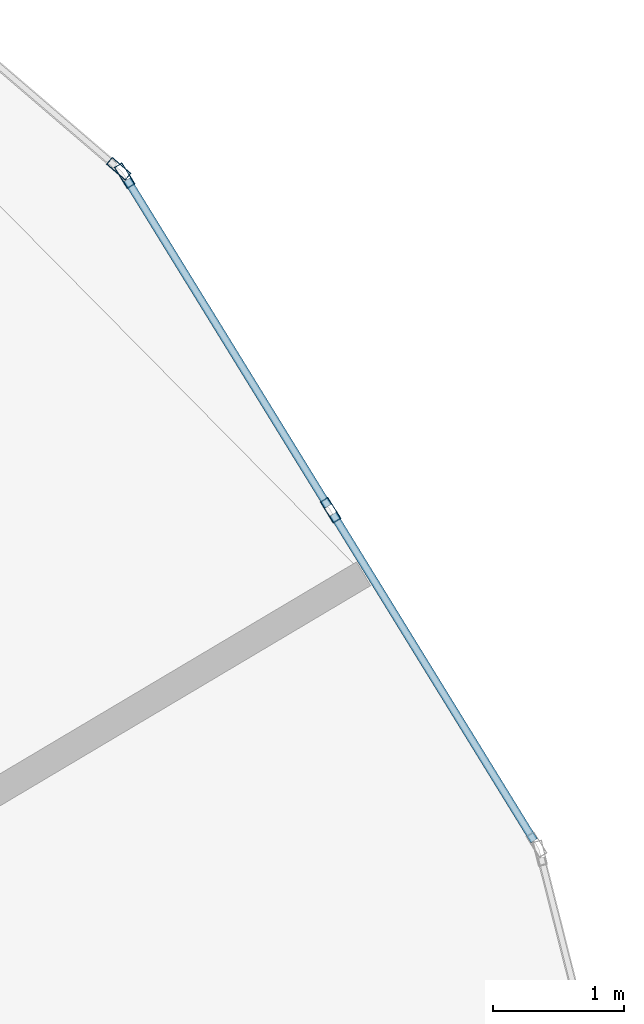
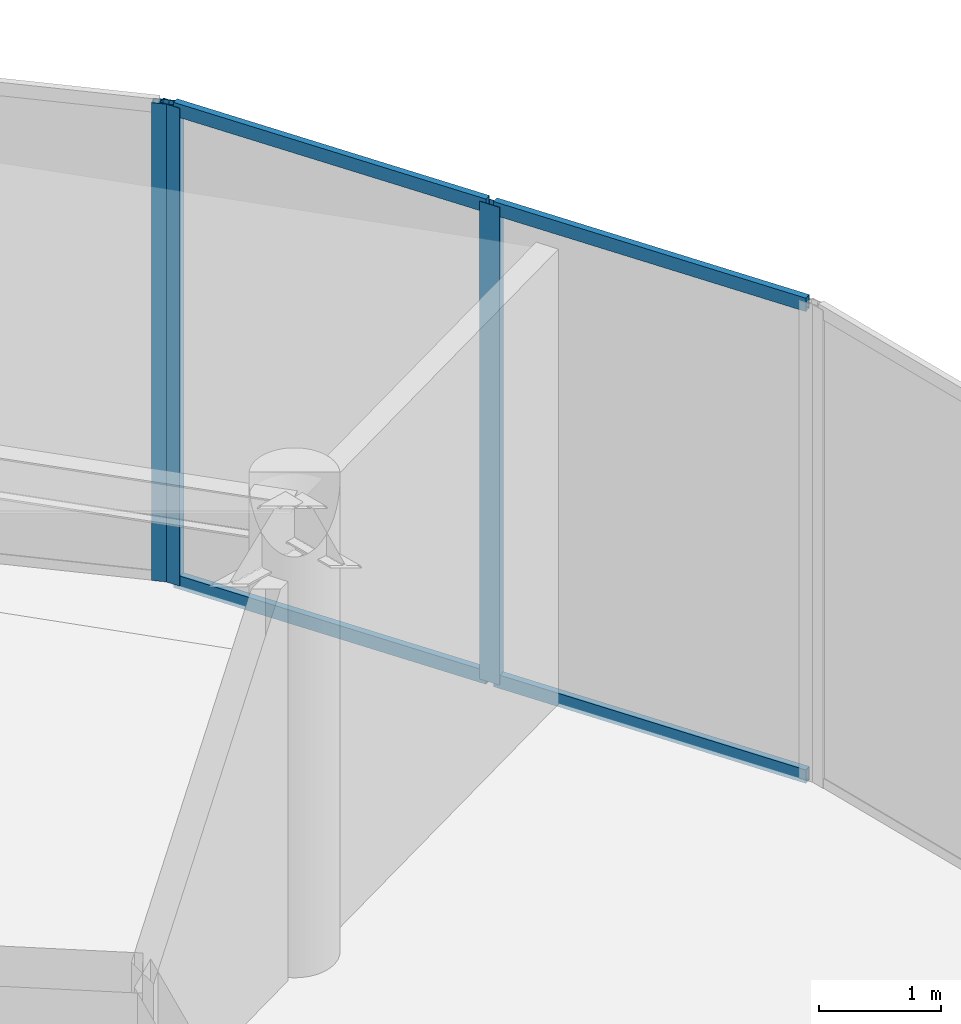
# One storey, part 15 of 21: 7 members, 2 elements without a shape of their own.
"""IFC4 building model written with IfcOpenShell, lengths in metres."""

import ifcopenshell
import ifcopenshell.guid

model = None  # the IFC model being written
_history = None  # IfcOwnerHistory: only IFC2X3 demands one
_inside = {}  # id of a spatial element -> (the spatial element, [elements in it])
_under = {}  # id of a project, library or spatial element -> (it, [spatial elements below it])
_declared = {}  # id of a project -> (the project, [libraries it declares])
_typed = {}  # id of a type object -> (the type object, [elements of that type])
_made_of = {}  # id of a material, layer set ... -> (it, [elements and type objects made of it])


def new_model(schema):
    """Start an empty IFC model of exactly this schema.

    Asked for "IFC4X3", IfcOpenShell would pick the latest addendum, in which some entities
    have other attributes; the version numbers below select the first issue.
    IFC2X3 requires an IfcOwnerHistory on every rooted entity: one is made here for all.
    """
    global model, _history
    if schema == "IFC4X3":
        model = ifcopenshell.file(schema_version=(4, 3, 0, 0))
    else:
        model = ifcopenshell.file(schema=schema)
    _inside.clear()
    _under.clear()
    _declared.clear()
    _typed.clear()
    _made_of.clear()
    _history = None
    if model.schema == "IFC2X3":
        org = make("IfcOrganization", Name="unknown")
        user = make(
            "IfcPersonAndOrganization",
            ThePerson=make("IfcPerson", FamilyName="unknown"),
            TheOrganization=org,
        )
        app = make(
            "IfcApplication",
            ApplicationDeveloper=org,
            Version="unknown",
            ApplicationFullName="unknown",
            ApplicationIdentifier="unknown",
        )
        _history = make(
            "IfcOwnerHistory",
            OwningUser=user,
            OwningApplication=app,
            ChangeAction="ADDED",
            CreationDate=0,
        )
    return model


def make(cls, **values):
    """One entity of the class cls with the attributes given. An attribute that is None is left unset."""
    return model.create_entity(
        cls, **{name: value for name, value in values.items() if value is not None}
    )


def rooted(cls, **values):
    """An entity with a GlobalId (a new one), such as an element, a storey or a relation."""
    return make(cls, GlobalId=ifcopenshell.guid.new(), OwnerHistory=_history, **values)


def si_unit(unit_type, name, prefix=None):
    """IfcSIUnit, for example si_unit("LENGTHUNIT", "METRE", prefix="MILLI")."""
    return make("IfcSIUnit", UnitType=unit_type, Prefix=prefix, Name=name)


def assignment(units):
    """IfcUnitAssignment: the units of a project."""
    return None if units is None else make("IfcUnitAssignment", Units=units)


def point(xyz):
    """IfcCartesianPoint."""
    return None if xyz is None else make("IfcCartesianPoint", Coordinates=xyz)


def direction(xyz):
    """IfcDirection."""
    return None if xyz is None else make("IfcDirection", DirectionRatios=xyz)


def frame(location, z_axis=None, x_axis=None):
    """IfcAxis2Placement3D, a coordinate frame: its origin and axes. An axis left out is left unset."""
    return make(
        "IfcAxis2Placement3D",
        Location=point(location),
        Axis=direction(z_axis),
        RefDirection=direction(x_axis),
    )


def frame_2d(location, x_axis=None):
    """IfcAxis2Placement2D, a coordinate frame in the plane: its origin and x axis."""
    return make(
        "IfcAxis2Placement2D", Location=point(location), RefDirection=direction(x_axis)
    )


def origin():
    """The frame at (0, 0, 0) with its axes left unset."""
    return frame((0.0, 0.0, 0.0))


def origin_2d():
    """The frame at (0, 0) in the plane with its x axis left unset."""
    return frame_2d((0.0, 0.0))


def place(relative_to, where):
    """IfcLocalPlacement: puts the frame where relative to a parent placement (None: the world)."""
    return make(
        "IfcLocalPlacement", PlacementRelTo=relative_to, RelativePlacement=where
    )


def context(
    kind, dimensions, precision=None, world=None, true_north=None, identifier=None
):
    """IfcGeometricRepresentationContext, for example the 3D "Model" context."""
    return make(
        "IfcGeometricRepresentationContext",
        ContextIdentifier=identifier,
        ContextType=kind,
        CoordinateSpaceDimension=dimensions,
        Precision=precision,
        WorldCoordinateSystem=world,
        TrueNorth=true_north,
    )


def subcontext(parent, identifier, kind, view, scale=None):
    """IfcGeometricRepresentationSubContext, for example "Body" below "Model"."""
    return make(
        "IfcGeometricRepresentationSubContext",
        ContextIdentifier=identifier,
        ContextType=kind,
        ParentContext=parent,
        TargetScale=scale,
        TargetView=view,
    )


def project(units=None, contexts=None):
    """IfcProject with its units and contexts."""
    return rooted(
        "IfcProject",
        Name="project",
        RepresentationContexts=contexts,
        UnitsInContext=assignment(units),
    )


def spatial(cls, under=None, at=None, **own):
    """A site, building, storey or space (cls), placed at a placement, below another one or the project."""
    s = rooted(cls, ObjectPlacement=at, **own)
    if under is not None:
        _under.setdefault(under.id(), (under, []))[1].append(s)
    return s


def profile(cls, at=None, kind="AREA", **sizes):
    """A parametric profile (cls). Its sizes go by their IFC names, for example OverallWidth=200.0."""
    return make(cls, ProfileType=kind, Position=at, **sizes)


def hollow_rectangle(**sizes):
    """IfcRectangleHollowProfileDef."""
    return profile("IfcRectangleHollowProfileDef", **sizes)


def extrude(swept, where, along, depth):
    """IfcExtrudedAreaSolid: the profile swept, set in the frame where, extruded along a direction by depth."""
    return make(
        "IfcExtrudedAreaSolid",
        SweptArea=swept,
        Position=where,
        ExtrudedDirection=direction(along),
        Depth=depth,
    )


def shape(context_of_items, identifier, shape_type, items):
    """IfcShapeRepresentation: the items that make up one representation, for example the "Body"."""
    return make(
        "IfcShapeRepresentation",
        ContextOfItems=context_of_items,
        RepresentationIdentifier=identifier,
        RepresentationType=shape_type,
        Items=items,
    )


def source(mapping_origin, context_of_items, identifier, shape_type, items):
    """IfcRepresentationMap: a shape defined once, which mapped items show again and again."""
    return make(
        "IfcRepresentationMap",
        MappingOrigin=mapping_origin,
        MappedRepresentation=shape(context_of_items, identifier, shape_type, items),
    )


def transform(
    local_origin,
    x_axis=None,
    y_axis=None,
    z_axis=None,
    scale=None,
    scale2=None,
    scale3=None,
    uniform=True,
):
    """IfcCartesianTransformationOperator3D, or its non-uniform kind. x_axis, y_axis, z_axis: its Axis1, 2, 3."""
    if uniform:
        return make(
            "IfcCartesianTransformationOperator3D",
            Axis1=direction(x_axis),
            Axis2=direction(y_axis),
            LocalOrigin=point(local_origin),
            Scale=scale,
            Axis3=direction(z_axis),
        )
    return make(
        "IfcCartesianTransformationOperator3DnonUniform",
        Axis1=direction(x_axis),
        Axis2=direction(y_axis),
        LocalOrigin=point(local_origin),
        Scale=scale,
        Axis3=direction(z_axis),
        Scale2=scale2,
        Scale3=scale3,
    )


def mapped(mapping_source, mapping_target):
    """IfcMappedItem: shows the shape of a source again, moved by a transform."""
    return make(
        "IfcMappedItem", MappingSource=mapping_source, MappingTarget=mapping_target
    )


def material(Name=None, Category=None):
    """IfcMaterial."""
    return make("IfcMaterial", Name=Name, Category=Category)


def layer(
    of_material, thickness, ventilated=None, Name=None, Category=None, Priority=None
):
    """IfcMaterialLayer: one layer of a wall or slab, of a material (None: an air gap)."""
    return make(
        "IfcMaterialLayer",
        Material=of_material,
        LayerThickness=thickness,
        IsVentilated=ventilated,
        Name=Name,
        Category=Category,
        Priority=Priority,
    )


def layer_set(layers, Name=None):
    """IfcMaterialLayerSet."""
    return make("IfcMaterialLayerSet", MaterialLayers=layers, LayerSetName=Name)


def material_profile(
    of_material, cross_section, Name=None, Category=None, Priority=None
):
    """IfcMaterialProfile: a cross section and its material."""
    return make(
        "IfcMaterialProfile",
        Name=Name,
        Material=of_material,
        Profile=cross_section,
        Priority=Priority,
        Category=Category,
    )


def profile_set(profiles, Name=None, composite=None):
    """IfcMaterialProfileSet."""
    return make(
        "IfcMaterialProfileSet",
        Name=Name,
        MaterialProfiles=profiles,
        CompositeProfile=composite,
    )


def made_of(thing, what):
    """Note that an element or type object is made of a material, layer set ...; save() writes the relation."""
    if what is not None:
        _made_of.setdefault(what.id(), (what, []))[1].append(thing)
    return thing


def type_object(cls, material=None, **own):
    """A type object (cls), such as IfcWallType, which elements share."""
    return made_of(rooted(cls, **own), material)


def element(
    cls,
    number,
    at=None,
    inside=None,
    cuts=None,
    type_object=None,
    material=None,
    context=None,
    identifier="Body",
    shape_type=None,
    held_by="IfcProductDefinitionShape",
    body=None,
    shapes=None,
    **own,
):
    """One element of the class cls, such as IfcWall. Its Tag is "e" and its number.

    at: its placement. inside: the storey or other place that contains it. cuts: it is an
    opening in that element (IfcRelVoidsElement). A single representation is given by context,
    identifier, shape_type and body (its items); several are given by shapes. held_by: the class
    of the entity that holds the representations. save() writes the other relations.
    """
    e = rooted(cls, Tag="e%d" % number, ObjectPlacement=at, **own)
    if body is not None:
        shapes = [shape(context, identifier, shape_type, body)]
    if shapes is not None:
        e.Representation = make(held_by, Representations=shapes)
    if inside is not None:
        _inside.setdefault(inside.id(), (inside, []))[1].append(e)
    if cuts is not None:
        rooted(
            "IfcRelVoidsElement", RelatingBuildingElement=cuts, RelatedOpeningElement=e
        )
    if type_object is not None:
        _typed.setdefault(type_object.id(), (type_object, []))[1].append(e)
    return made_of(e, material)


def aggregate(whole, parts):
    """IfcRelAggregates: a whole, such as a stair, and the parts it consists of."""
    return rooted("IfcRelAggregates", RelatingObject=whole, RelatedObjects=parts)


def save(model, path):
    """Write the relations noted so far, then the file.

    IfcRelAggregates (storeys below a building ...), IfcRelContainedInSpatialStructure (elements
    in a storey), IfcRelDefinesByType, IfcRelAssociatesMaterial and IfcRelDeclares: one each for
    every whole, place, type object, material and project.
    """
    for whole, parts in _under.values():
        aggregate(whole, parts)
    for where, things in _inside.values():
        rooted(
            "IfcRelContainedInSpatialStructure",
            RelatedElements=things,
            RelatingStructure=where,
        )
    for kind, things in _typed.values():
        rooted("IfcRelDefinesByType", RelatedObjects=things, RelatingType=kind)
    for what, things in _made_of.values():
        rooted("IfcRelAssociatesMaterial", RelatedObjects=things, RelatingMaterial=what)
    for by, libraries in _declared.values():
        rooted("IfcRelDeclares", RelatingContext=by, RelatedDefinitions=libraries)
    model.write(path)


model = new_model("IFC4")

# Units and contexts
model_context = context("Model", 3, precision=1e-05, world=origin(), true_north=direction((0.0, 1.0)))
body_context = subcontext(model_context, "Body", "Model", "MODEL_VIEW")
ifc_project = project(units=[si_unit("LENGTHUNIT", "METRE"), si_unit("AREAUNIT", "SQUARE_METRE"), si_unit("VOLUMEUNIT", "CUBIC_METRE"), si_unit("PLANEANGLEUNIT", "RADIAN"), si_unit("MASSUNIT", "GRAM", prefix="KILO")], contexts=[model_context])

# Site, building, storey
site_placement = place(None, origin())
site = spatial("IfcSite", under=ifc_project, at=site_placement, CompositionType="ELEMENT")
building_placement = place(site_placement, origin())
building = spatial("IfcBuilding", under=site, at=building_placement, Name="Solvirekh Grand Hotel", CompositionType="ELEMENT")
storey_placement = place(building_placement, frame((0.0, 0.0, 262.0)))
storey = spatial("IfcBuildingStorey", under=building, at=storey_placement, Name="L68", CompositionType="ELEMENT", Elevation=262.0)

# Curtain wall, members
ifc_material = material(Name="Anodized Bronze Aluminium 6063-T6", Category="aluminium")
ifc_layer = layer(ifc_material, 0.18994140625)
ifc_layer_set = layer_set([ifc_layer], Name="Anodized Bronze Aluminium 6063-T6")
curtain_wall_type = type_object("IfcCurtainWallType", Name="CW_Sys5_SkyLobbyPanoramaCW", PredefinedType="NOTDEFINED", material=ifc_layer_set)
curtain_wall_1_placement = place(storey_placement, origin())
curtain_wall_1 = element("IfcCurtainWall", 1, at=curtain_wall_1_placement, inside=storey, type_object=curtain_wall_type, Name="L68 unitised bronze-glass curtain wall CW-L68-C07", PredefinedType="NOTDEFINED")
ifc_material_profile_1 = material_profile(ifc_material, hollow_rectangle(XDim=0.070068359375, YDim=0.18994140625, WallThickness=0.0048828125, at=origin_2d()), Name="ALU RHS 190X70X5")
ifc_profile_set_1 = profile_set([ifc_material_profile_1], Name="Anodized Bronze Aluminium 6063-T6")
member_type_1 = type_object("IfcMemberType", Name="CWMullion_Sys5", PredefinedType="MULLION", material=ifc_profile_set_1)
shared_shape_1 = source(origin(), body_context, "Body", "SweptSolid", [
    extrude(hollow_rectangle(XDim=0.070068359375, YDim=0.18994140625, WallThickness=0.0048828125, at=origin_2d()), origin(), (0.0, 0.0, 1.0), 4.800048828125),
])
member_1_placement = place(storey_placement, frame((16.73291015625, 10.29052734375, 0.0), z_axis=(0.0, 0.0, 1.0), x_axis=(-0.851533516922, -0.524300171237, 0.0)))
member_1 = element("IfcMember", 2, at=member_1_placement, type_object=member_type_1, Name="U05 mullion 2", PredefinedType="MULLION", context=body_context, shape_type="MappedRepresentation", body=[
    mapped(shared_shape_1, transform((0.0, 0.0, 0.0), x_axis=(1.0, 0.0, 0.0), y_axis=(0.0, 1.0, 0.0), z_axis=(0.0, 0.0, 1.0), scale=1.0)),
])
member_2_placement = place(storey_placement, frame((15.164306640625, 12.838134765625, 0.0), z_axis=(0.0, 0.0, 1.0), x_axis=(-0.851533516922, -0.524300171237, 0.0)))
member_2 = element("IfcMember", 3, at=member_2_placement, type_object=member_type_1, Name="U05 mullion 3", PredefinedType="MULLION", context=body_context, shape_type="MappedRepresentation", body=[
    mapped(shared_shape_1, transform((0.0, 0.0, 0.0), x_axis=(1.0, 0.0, 0.0), y_axis=(0.0, 1.0, 0.0), z_axis=(0.0, 0.0, 1.0), scale=1.0)),
])

# Curtain wall, member
curtain_wall_2_placement = place(storey_placement, origin())
curtain_wall_2 = element("IfcCurtainWall", 4, at=curtain_wall_2_placement, inside=storey, type_object=curtain_wall_type, Name="L68 unitised bronze-glass curtain wall CW-L68-C08", PredefinedType="NOTDEFINED")
member_3_placement = place(storey_placement, frame((15.119384765625, 12.890869140625, 0.0), z_axis=(0.0, 0.0, 1.0), x_axis=(-0.650805133483, -0.75924480784, 0.0)))
member_3 = element("IfcMember", 5, at=member_3_placement, type_object=member_type_1, Name="U05 mullion 1", PredefinedType="MULLION", context=body_context, shape_type="MappedRepresentation", body=[
    mapped(shared_shape_1, transform((0.0, 0.0, 0.0), x_axis=(1.0, 0.0, 0.0), y_axis=(0.0, 1.0, 0.0), z_axis=(0.0, 0.0, 1.0), scale=1.0)),
])
aggregate(curtain_wall_2, [member_3])

# Member
ifc_material_profile_2 = material_profile(ifc_material, hollow_rectangle(XDim=0.06005859375, YDim=0.135009765625, WallThickness=0.00390625, at=origin_2d()), Name="ALU RHS 135X60X4")
ifc_profile_set_2 = profile_set([ifc_material_profile_2], Name="Anodized Bronze Aluminium 6063-T6")
member_type_2 = type_object("IfcMemberType", Name="CWTransom_Sys5", PredefinedType="USERDEFINED", material=ifc_profile_set_2)
shared_shape_2 = source(origin(), body_context, "Body", "SweptSolid", [
    extrude(hollow_rectangle(XDim=0.06005859375, YDim=0.135009765625, WallThickness=0.00390625, at=origin_2d()), origin(), (0.0, 0.0, 1.0), 2.921630859375),
])
member_4_placement = place(storey_placement, frame((18.283203125, 7.772705078125, 0.030029296875), z_axis=(-0.524255929696, 0.851560755424, 0.0), x_axis=(-0.851560755424, -0.524255929696, 0.0)))
member_4 = element("IfcMember", 6, at=member_4_placement, type_object=member_type_2, Name="U05 transom 1.1", ObjectType="TRANSOM", PredefinedType="USERDEFINED", context=body_context, shape_type="MappedRepresentation", body=[
    mapped(shared_shape_2, transform((0.0, 0.0, 0.0), x_axis=(1.0, 0.0, 0.0), y_axis=(0.0, 1.0, 0.0), z_axis=(0.0, 0.0, 1.0), scale=1.0)),
])

member_5_placement = place(storey_placement, frame((18.283203125, 7.772705078125, 4.77001953125), z_axis=(-0.524255929696, 0.851560755424, 0.0), x_axis=(-0.851560755424, -0.524255929696, 0.0)))
member_5 = element("IfcMember", 7, at=member_5_placement, type_object=member_type_2, Name="U05 transom 1.2", ObjectType="TRANSOM", PredefinedType="USERDEFINED", context=body_context, shape_type="MappedRepresentation", body=[
    mapped(shared_shape_2, transform((0.0, 0.0, 0.0), x_axis=(1.0, 0.0, 0.0), y_axis=(0.0, 1.0, 0.0), z_axis=(0.0, 0.0, 1.0), scale=1.0)),
])

shared_shape_3 = source(origin(), body_context, "Body", "SweptSolid", [
    extrude(hollow_rectangle(XDim=0.06005859375, YDim=0.135009765625, WallThickness=0.00390625, at=origin_2d()), origin(), (0.0, 0.0, 1.0), 2.921875),
])
member_6_placement = place(storey_placement, frame((16.714599609375, 10.3203125, 0.030029296875), z_axis=(-0.524316519783, 0.851523450695, 0.0), x_axis=(-0.851523450695, -0.524316519783, 0.0)))
member_6 = element("IfcMember", 8, at=member_6_placement, type_object=member_type_2, Name="U05 transom 2.1", ObjectType="TRANSOM", PredefinedType="USERDEFINED", context=body_context, shape_type="MappedRepresentation", body=[
    mapped(shared_shape_3, transform((0.0, 0.0, 0.0), x_axis=(1.0, 0.0, 0.0), y_axis=(0.0, 1.0, 0.0), z_axis=(0.0, 0.0, 1.0), scale=1.0)),
])

member_7_placement = place(storey_placement, frame((16.714599609375, 10.3203125, 4.77001953125), z_axis=(-0.524316519783, 0.851523450695, 0.0), x_axis=(-0.851523450695, -0.524316519783, 0.0)))
member_7 = element("IfcMember", 9, at=member_7_placement, type_object=member_type_2, Name="U05 transom 2.2", ObjectType="TRANSOM", PredefinedType="USERDEFINED", context=body_context, shape_type="MappedRepresentation", body=[
    mapped(shared_shape_3, transform((0.0, 0.0, 0.0), x_axis=(1.0, 0.0, 0.0), y_axis=(0.0, 1.0, 0.0), z_axis=(0.0, 0.0, 1.0), scale=1.0)),
])

aggregate(curtain_wall_1, [member_1, member_2, member_4, member_5, member_6, member_7])

save(model, "model.ifc")
